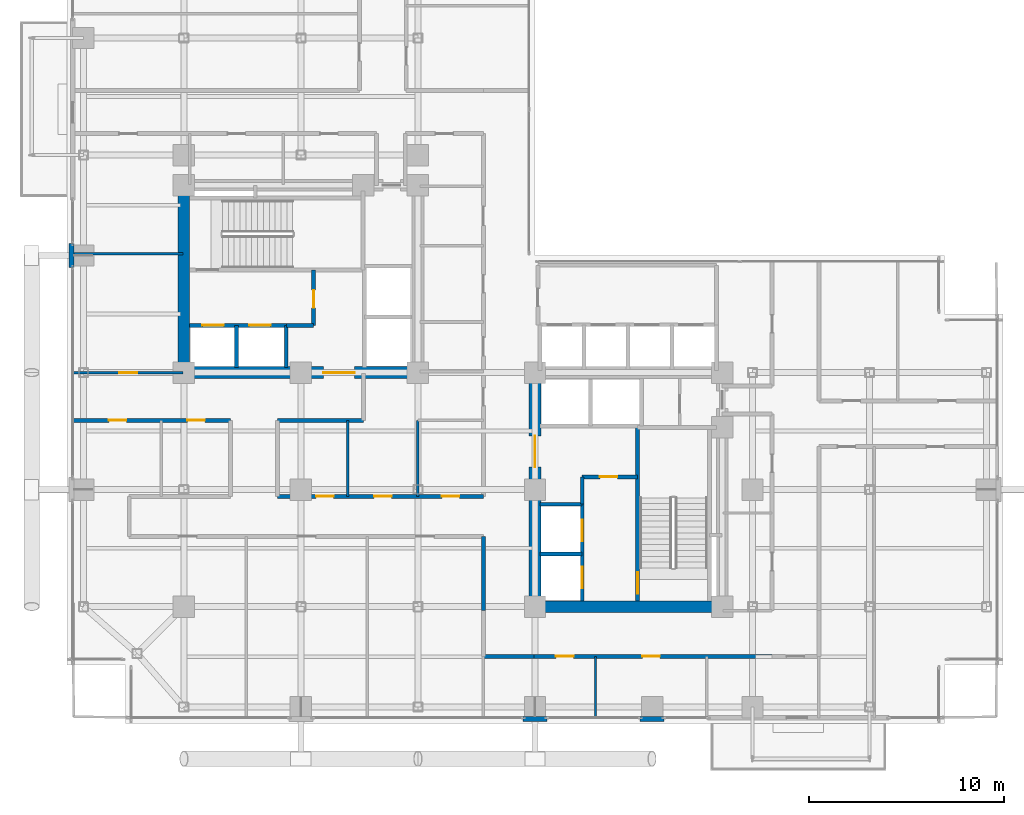
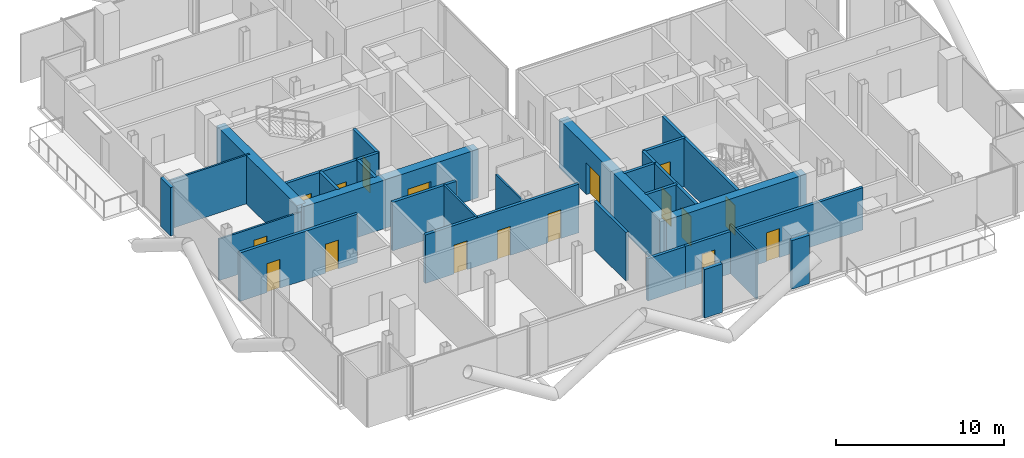
# One storey, part 22 of 28: 29 walls, 17 doors, 17 openings.
"""IFC4 building model written with IfcOpenShell, lengths in metres."""

import ifcopenshell
import ifcopenshell.guid

model = None  # the IFC model being written
_history = None  # IfcOwnerHistory: only IFC2X3 demands one
_inside = {}  # id of a spatial element -> (the spatial element, [elements in it])
_under = {}  # id of a project, library or spatial element -> (it, [spatial elements below it])
_declared = {}  # id of a project -> (the project, [libraries it declares])
_typed = {}  # id of a type object -> (the type object, [elements of that type])
_made_of = {}  # id of a material, layer set ... -> (it, [elements and type objects made of it])


def new_model(schema):
    """Start an empty IFC model of exactly this schema.

    Asked for "IFC4X3", IfcOpenShell would pick the latest addendum, in which some entities
    have other attributes; the version numbers below select the first issue.
    IFC2X3 requires an IfcOwnerHistory on every rooted entity: one is made here for all.
    """
    global model, _history
    if schema == "IFC4X3":
        model = ifcopenshell.file(schema_version=(4, 3, 0, 0))
    else:
        model = ifcopenshell.file(schema=schema)
    _inside.clear()
    _under.clear()
    _declared.clear()
    _typed.clear()
    _made_of.clear()
    _history = None
    if model.schema == "IFC2X3":
        org = make("IfcOrganization", Name="unknown")
        user = make(
            "IfcPersonAndOrganization",
            ThePerson=make("IfcPerson", FamilyName="unknown"),
            TheOrganization=org,
        )
        app = make(
            "IfcApplication",
            ApplicationDeveloper=org,
            Version="unknown",
            ApplicationFullName="unknown",
            ApplicationIdentifier="unknown",
        )
        _history = make(
            "IfcOwnerHistory",
            OwningUser=user,
            OwningApplication=app,
            ChangeAction="ADDED",
            CreationDate=0,
        )
    return model


def make(cls, **values):
    """One entity of the class cls with the attributes given. An attribute that is None is left unset."""
    return model.create_entity(
        cls, **{name: value for name, value in values.items() if value is not None}
    )


def rooted(cls, **values):
    """An entity with a GlobalId (a new one), such as an element, a storey or a relation."""
    return make(cls, GlobalId=ifcopenshell.guid.new(), OwnerHistory=_history, **values)


def si_unit(unit_type, name, prefix=None):
    """IfcSIUnit, for example si_unit("LENGTHUNIT", "METRE", prefix="MILLI")."""
    return make("IfcSIUnit", UnitType=unit_type, Prefix=prefix, Name=name)


def assignment(units):
    """IfcUnitAssignment: the units of a project."""
    return None if units is None else make("IfcUnitAssignment", Units=units)


def point(xyz):
    """IfcCartesianPoint."""
    return None if xyz is None else make("IfcCartesianPoint", Coordinates=xyz)


def direction(xyz):
    """IfcDirection."""
    return None if xyz is None else make("IfcDirection", DirectionRatios=xyz)


def frame(location, z_axis=None, x_axis=None):
    """IfcAxis2Placement3D, a coordinate frame: its origin and axes. An axis left out is left unset."""
    return make(
        "IfcAxis2Placement3D",
        Location=point(location),
        Axis=direction(z_axis),
        RefDirection=direction(x_axis),
    )


def frame_2d(location, x_axis=None):
    """IfcAxis2Placement2D, a coordinate frame in the plane: its origin and x axis."""
    return make(
        "IfcAxis2Placement2D", Location=point(location), RefDirection=direction(x_axis)
    )


def origin():
    """The frame at (0, 0, 0) with its axes left unset."""
    return frame((0.0, 0.0, 0.0))


def place(relative_to, where):
    """IfcLocalPlacement: puts the frame where relative to a parent placement (None: the world)."""
    return make(
        "IfcLocalPlacement", PlacementRelTo=relative_to, RelativePlacement=where
    )


def context(
    kind, dimensions, precision=None, world=None, true_north=None, identifier=None
):
    """IfcGeometricRepresentationContext, for example the 3D "Model" context."""
    return make(
        "IfcGeometricRepresentationContext",
        ContextIdentifier=identifier,
        ContextType=kind,
        CoordinateSpaceDimension=dimensions,
        Precision=precision,
        WorldCoordinateSystem=world,
        TrueNorth=true_north,
    )


def subcontext(parent, identifier, kind, view, scale=None):
    """IfcGeometricRepresentationSubContext, for example "Body" below "Model"."""
    return make(
        "IfcGeometricRepresentationSubContext",
        ContextIdentifier=identifier,
        ContextType=kind,
        ParentContext=parent,
        TargetScale=scale,
        TargetView=view,
    )


def project(units=None, contexts=None):
    """IfcProject with its units and contexts."""
    return rooted(
        "IfcProject",
        Name="project",
        RepresentationContexts=contexts,
        UnitsInContext=assignment(units),
    )


def spatial(cls, under=None, at=None, **own):
    """A site, building, storey or space (cls), placed at a placement, below another one or the project."""
    s = rooted(cls, ObjectPlacement=at, **own)
    if under is not None:
        _under.setdefault(under.id(), (under, []))[1].append(s)
    return s


def profile(cls, at=None, kind="AREA", **sizes):
    """A parametric profile (cls). Its sizes go by their IFC names, for example OverallWidth=200.0."""
    return make(cls, ProfileType=kind, Position=at, **sizes)


def rectangle(**sizes):
    """IfcRectangleProfileDef."""
    return profile("IfcRectangleProfileDef", **sizes)


def extrude(swept, where, along, depth):
    """IfcExtrudedAreaSolid: the profile swept, set in the frame where, extruded along a direction by depth."""
    return make(
        "IfcExtrudedAreaSolid",
        SweptArea=swept,
        Position=where,
        ExtrudedDirection=direction(along),
        Depth=depth,
    )


def shape(context_of_items, identifier, shape_type, items):
    """IfcShapeRepresentation: the items that make up one representation, for example the "Body"."""
    return make(
        "IfcShapeRepresentation",
        ContextOfItems=context_of_items,
        RepresentationIdentifier=identifier,
        RepresentationType=shape_type,
        Items=items,
    )


def material(Name=None, Category=None):
    """IfcMaterial."""
    return make("IfcMaterial", Name=Name, Category=Category)


def layer(
    of_material, thickness, ventilated=None, Name=None, Category=None, Priority=None
):
    """IfcMaterialLayer: one layer of a wall or slab, of a material (None: an air gap)."""
    return make(
        "IfcMaterialLayer",
        Material=of_material,
        LayerThickness=thickness,
        IsVentilated=ventilated,
        Name=Name,
        Category=Category,
        Priority=Priority,
    )


def layer_set(layers, Name=None):
    """IfcMaterialLayerSet."""
    return make("IfcMaterialLayerSet", MaterialLayers=layers, LayerSetName=Name)


def made_of(thing, what):
    """Note that an element or type object is made of a material, layer set ...; save() writes the relation."""
    if what is not None:
        _made_of.setdefault(what.id(), (what, []))[1].append(thing)
    return thing


def type_object(cls, material=None, **own):
    """A type object (cls), such as IfcWallType, which elements share."""
    return made_of(rooted(cls, **own), material)


def element(
    cls,
    number,
    at=None,
    inside=None,
    cuts=None,
    type_object=None,
    material=None,
    context=None,
    identifier="Body",
    shape_type=None,
    held_by="IfcProductDefinitionShape",
    body=None,
    shapes=None,
    **own,
):
    """One element of the class cls, such as IfcWall. Its Tag is "e" and its number.

    at: its placement. inside: the storey or other place that contains it. cuts: it is an
    opening in that element (IfcRelVoidsElement). A single representation is given by context,
    identifier, shape_type and body (its items); several are given by shapes. held_by: the class
    of the entity that holds the representations. save() writes the other relations.
    """
    e = rooted(cls, Tag="e%d" % number, ObjectPlacement=at, **own)
    if body is not None:
        shapes = [shape(context, identifier, shape_type, body)]
    if shapes is not None:
        e.Representation = make(held_by, Representations=shapes)
    if inside is not None:
        _inside.setdefault(inside.id(), (inside, []))[1].append(e)
    if cuts is not None:
        rooted(
            "IfcRelVoidsElement", RelatingBuildingElement=cuts, RelatedOpeningElement=e
        )
    if type_object is not None:
        _typed.setdefault(type_object.id(), (type_object, []))[1].append(e)
    return made_of(e, material)


def fill(opening, filler):
    """IfcRelFillsElement: the door or window that sits in an opening."""
    return rooted(
        "IfcRelFillsElement",
        RelatingOpeningElement=opening,
        RelatedBuildingElement=filler,
    )


def aggregate(whole, parts):
    """IfcRelAggregates: a whole, such as a stair, and the parts it consists of."""
    return rooted("IfcRelAggregates", RelatingObject=whole, RelatedObjects=parts)


def save(model, path):
    """Write the relations noted so far, then the file.

    IfcRelAggregates (storeys below a building ...), IfcRelContainedInSpatialStructure (elements
    in a storey), IfcRelDefinesByType, IfcRelAssociatesMaterial and IfcRelDeclares: one each for
    every whole, place, type object, material and project.
    """
    for whole, parts in _under.values():
        aggregate(whole, parts)
    for where, things in _inside.values():
        rooted(
            "IfcRelContainedInSpatialStructure",
            RelatedElements=things,
            RelatingStructure=where,
        )
    for kind, things in _typed.values():
        rooted("IfcRelDefinesByType", RelatedObjects=things, RelatingType=kind)
    for what, things in _made_of.values():
        rooted("IfcRelAssociatesMaterial", RelatedObjects=things, RelatingMaterial=what)
    for by, libraries in _declared.values():
        rooted("IfcRelDeclares", RelatingContext=by, RelatedDefinitions=libraries)
    model.write(path)


model = new_model("IFC4")

# Units and contexts
model_context = context("Model", 3, precision=1e-05, world=origin(), true_north=direction((0.0, 1.0)))
body_context = subcontext(model_context, "Body", "Model", "MODEL_VIEW")
ifc_project = project(units=[si_unit("LENGTHUNIT", "METRE"), si_unit("AREAUNIT", "SQUARE_METRE"), si_unit("VOLUMEUNIT", "CUBIC_METRE"), si_unit("PLANEANGLEUNIT", "RADIAN"), si_unit("MASSUNIT", "GRAM", prefix="KILO"), si_unit("THERMODYNAMICTEMPERATUREUNIT", "KELVIN"), si_unit("POWERUNIT", "WATT")], contexts=[model_context])

# Site, building, storey
site_placement = place(None, origin())
site = spatial("IfcSite", under=ifc_project, at=site_placement, CompositionType="ELEMENT")
building_placement = place(site_placement, origin())
building = spatial("IfcBuilding", under=site, at=building_placement, Name="Svarakhadi Broadcast Tower", CompositionType="ELEMENT")
storey_placement = place(building_placement, frame((0.0, 0.0, 153.14990234375)))
storey = spatial("IfcBuildingStorey", under=building, at=storey_placement, Name="L37", CompositionType="ELEMENT", Elevation=153.14990234375)

# Walls
ifc_material_1 = material(Name="Concrete C40/50 (IS 456 M50)", Category="concrete")
ifc_layer_1 = layer(ifc_material_1, 0.239990234375)
ifc_layer_set_1 = layer_set([ifc_layer_1], Name="Concrete C40/50 (IS 456 M50)")
wall_type_1 = type_object("IfcWallType", Name="Wall_Ext_240", PredefinedType="SOLIDWALL", material=ifc_layer_set_1)
for number, where, z_axis, x_axis, name in (
    (1, (0.239990234375, 23.385009765625, 0.0), (0.0, 0.0, 1.0), (0.0, 1.0, 0.0), "L37 Perimeter Bronze Spandrel Closure Wall 02"),
    (2, (30.614990234375, 0.239990234375, 0.0), (0.0, 0.0, 1.0), (-1.0, 0.0, 0.0), "L37 Perimeter Bronze Spandrel Closure Wall 06"),
    (3, (24.614990234375, 0.239990234375, 0.0), (0.0, 0.0, 1.0), (-1.0, 0.0, 0.0), "L37 Perimeter Bronze Spandrel Closure Wall 07"),
):
    element("IfcWall", number, at=place(storey_placement, frame(where, z_axis=z_axis, x_axis=x_axis)), inside=storey, type_object=wall_type_1, Name=name, PredefinedType="SOLIDWALL", context=body_context, shape_type="SweptSolid", body=[
        extrude(rectangle(XDim=1.22998046875, YDim=0.239990234375, at=frame_2d((0.614990234375, 0.0))), origin(), (0.0, 0.0, 1.0), 3.525146484375),
    ])

# Wall, openings, doors
ifc_layer_2 = layer(ifc_material_1, 0.199951171875)
ifc_layer_set_2 = layer_set([ifc_layer_2], Name="Concrete C40/50 (IS 456 M50)")
wall_type_2 = type_object("IfcWallType", Name="Wall_Fire_200", PredefinedType="SOLIDWALL", material=ifc_layer_set_2)
wall_1_placement = place(storey_placement, frame((36.14990234375, 3.449951171875, 0.0), z_axis=(0.0, 0.0, 1.0), x_axis=(-1.0, 0.0, 0.0)))
wall_1 = element("IfcWall", 4, at=wall_1_placement, inside=storey, type_object=wall_type_2, Name="L37 Zone 2/3 Corridor Wall", PredefinedType="SOLIDWALL", context=body_context, shape_type="SweptSolid", body=[
    extrude(rectangle(XDim=12.199951171875, YDim=0.199951171875, at=frame_2d((6.10009765625, 0.0))), origin(), (0.0, 0.0, 1.0), 3.067138671875),
])
opening_1_placement = place(wall_1_placement, frame((10.175048828125, 0.0, 0.0)))
opening_1 = element("IfcOpeningElement", 5, at=opening_1_placement, cuts=wall_1, Name="Opening D-14", PredefinedType="OPENING", context=body_context, shape_type="SweptSolid", body=[
    extrude(rectangle(XDim=0.89990234375, YDim=2.10009765625, at=frame_2d((0.449951171875, 1.050048828125))), frame((0.0, 0.10986328125, 0.0), z_axis=(0.0, -1.0, 0.0), x_axis=(1.0, 0.0, 0.0)), (0.0, 0.0, 1.0), 0.219970703125),
])
opening_2_placement = place(wall_1_placement, frame((5.75, 0.0, 0.0)))
opening_2 = element("IfcOpeningElement", 6, at=opening_2_placement, cuts=wall_1, Name="Opening D-15", PredefinedType="OPENING", context=body_context, shape_type="SweptSolid", body=[
    extrude(rectangle(XDim=0.89990234375, YDim=2.10009765625, at=frame_2d((0.449951171875, 1.050048828125))), frame((0.0, 0.10986328125, 0.0), z_axis=(0.0, -1.0, 0.0), x_axis=(1.0, 0.0, 0.0)), (0.0, 0.0, 1.0), 0.219970703125),
])
ifc_material_2 = material(Name="Solid-Core Teak Veneer Acoustic Timber Leaf", Category="wood")
door_type_1 = type_object("IfcDoorType", Name="Door_Int_D14", OperationType="SINGLE_SWING_LEFT", PredefinedType="DOOR", material=ifc_material_2)
door_1_placement = place(opening_1_placement, origin())
door_1 = element("IfcDoor", 7, at=door_1_placement, inside=storey, type_object=door_type_1, Name="L37 Harbour Front Production Office Door", OperationType="SINGLE_SWING_LEFT", OverallHeight=2.10009765625, OverallWidth=0.89990234375, PredefinedType="DOOR", context=body_context, shape_type="SweptSolid", body=[
    extrude(rectangle(XDim=0.89990234375, YDim=2.10009765625, at=frame_2d((0.449951171875, 1.050048828125))), frame((0.0, 0.02490234375, 0.0), z_axis=(0.0, -1.0, 0.0), x_axis=(1.0, 0.0, 0.0)), (0.0, 0.0, 1.0), 0.050048828125),
])
fill(opening_1, door_1)
door_type_2 = type_object("IfcDoorType", Name="Door_Int_D15", OperationType="SINGLE_SWING_RIGHT", PredefinedType="DOOR", material=ifc_material_2)
door_2_placement = place(opening_2_placement, origin())
door_2 = element("IfcDoor", 8, at=door_2_placement, inside=storey, type_object=door_type_2, Name="L37 Client Preview Briefing Room Door", OperationType="SINGLE_SWING_RIGHT", OverallHeight=2.10009765625, OverallWidth=0.89990234375, PredefinedType="DOOR", context=body_context, shape_type="SweptSolid", body=[
    extrude(rectangle(XDim=0.89990234375, YDim=2.10009765625, at=frame_2d((0.449951171875, 1.050048828125))), frame((0.0, 0.02490234375, 0.0), z_axis=(0.0, -1.0, 0.0), x_axis=(1.0, 0.0, 0.0)), (0.0, 0.0, 1.0), 0.050048828125),
])
fill(opening_2, door_2)

# Walls
wall_2_placement = place(storey_placement, frame((23.949951171875, 3.449951171875, 0.0), z_axis=(0.0, 0.0, 1.0), x_axis=(-1.0, 0.0, 0.0)))
element("IfcWall", 9, at=wall_2_placement, inside=storey, type_object=wall_type_2, Name="L37 Zone 2/3 Corridor Wall", PredefinedType="SOLIDWALL", context=body_context, shape_type="SweptSolid", body=[
    extrude(rectangle(XDim=2.599853515625, YDim=0.199951171875, at=frame_2d((1.2998046875, 0.0))), origin(), (0.0, 0.0, 1.0), 3.067138671875),
])
wall_3_placement = place(storey_placement, frame((21.35009765625, 5.800048828125, 0.0), z_axis=(0.0, 0.0, 1.0), x_axis=(0.0, 1.0, 0.0)))
element("IfcWall", 10, at=wall_3_placement, inside=storey, type_object=wall_type_2, Name="L37 Zone 2/3 Corridor Wall", PredefinedType="SOLIDWALL", context=body_context, shape_type="SweptSolid", body=[
    extrude(rectangle(XDim=3.800048828125, YDim=0.199951171875, at=frame_2d((1.89990234375, 0.0))), origin(), (0.0, 0.0, 1.0), 3.525146484375),
])

# Wall, openings, doors
wall_4_placement = place(storey_placement, frame((8.39990234375, 15.550048828125, 0.0), z_axis=(0.0, 0.0, 1.0), x_axis=(-1.0, 0.0, 0.0)))
wall_4 = element("IfcWall", 11, at=wall_4_placement, inside=storey, type_object=wall_type_2, Name="L37 Zone 2/3 Corridor Wall", PredefinedType="SOLIDWALL", context=body_context, shape_type="SweptSolid", body=[
    extrude(rectangle(XDim=8.099853515625, YDim=0.199951171875, at=frame_2d((4.0498046875, 0.0))), origin(), (0.0, 0.0, 1.0), 3.525146484375),
])
opening_3_placement = place(wall_4_placement, frame((5.35009765625, 0.0, 0.0)))
opening_3 = element("IfcOpeningElement", 12, at=opening_3_placement, cuts=wall_4, Name="Opening D-15", PredefinedType="OPENING", context=body_context, shape_type="SweptSolid", body=[
    extrude(rectangle(XDim=0.89990234375, YDim=2.10009765625, at=frame_2d((0.449951171875, 1.050048828125))), frame((0.0, 0.10986328125, 0.0), z_axis=(0.0, -1.0, 0.0), x_axis=(1.0, 0.0, 0.0)), (0.0, 0.0, 1.0), 0.219970703125),
])
opening_4_placement = place(wall_4_placement, frame((1.324951171875, 0.0, 0.0)))
opening_4 = element("IfcOpeningElement", 13, at=opening_4_placement, cuts=wall_4, Name="Opening D-14", PredefinedType="OPENING", context=body_context, shape_type="SweptSolid", body=[
    extrude(rectangle(XDim=0.89990234375, YDim=2.10009765625, at=frame_2d((0.449951171875, 1.050048828125))), frame((0.0, 0.10986328125, 0.0), z_axis=(0.0, -1.0, 0.0), x_axis=(1.0, 0.0, 0.0)), (0.0, 0.0, 1.0), 0.219970703125),
])
door_3_placement = place(opening_4_placement, origin())
door_3 = element("IfcDoor", 14, at=door_3_placement, inside=storey, type_object=door_type_1, Name="L37 Orchestral Instrument Preparation Room Door", OperationType="SINGLE_SWING_LEFT", OverallHeight=2.10009765625, OverallWidth=0.89990234375, PredefinedType="DOOR", context=body_context, shape_type="SweptSolid", body=[
    extrude(rectangle(XDim=0.89990234375, YDim=2.10009765625, at=frame_2d((0.449951171875, 1.050048828125))), frame((0.0, 0.02490234375, 0.0), z_axis=(0.0, -1.0, 0.0), x_axis=(1.0, 0.0, 0.0)), (0.0, 0.0, 1.0), 0.050048828125),
])
fill(opening_4, door_3)
door_4_placement = place(opening_3_placement, origin())
door_4 = element("IfcDoor", 15, at=door_4_placement, inside=storey, type_object=door_type_2, Name="L37 Vinyl and Atmos Mastering Room Door", OperationType="SINGLE_SWING_RIGHT", OverallHeight=2.10009765625, OverallWidth=0.89990234375, PredefinedType="DOOR", context=body_context, shape_type="SweptSolid", body=[
    extrude(rectangle(XDim=0.89990234375, YDim=2.10009765625, at=frame_2d((0.449951171875, 1.050048828125))), frame((0.0, 0.02490234375, 0.0), z_axis=(0.0, -1.0, 0.0), x_axis=(1.0, 0.0, 0.0)), (0.0, 0.0, 1.0), 0.050048828125),
])
fill(opening_3, door_4)

# Wall
wall_5_placement = place(storey_placement, frame((15.199951171875, 15.550048828125, 0.0), z_axis=(0.0, 0.0, 1.0), x_axis=(-1.0, 0.0, 0.0)))
element("IfcWall", 16, at=wall_5_placement, inside=storey, type_object=wall_type_2, Name="L37 Zone 2/3 Corridor Wall", PredefinedType="SOLIDWALL", context=body_context, shape_type="SweptSolid", body=[
    extrude(rectangle(XDim=4.39990234375, YDim=0.199951171875, at=frame_2d((2.199951171875, 0.0))), origin(), (0.0, 0.0, 1.0), 3.525146484375),
])

# Wall, openings, doors
wall_6_placement = place(storey_placement, frame((10.800048828125, 11.64990234375, 0.0), z_axis=(0.0, 0.0, 1.0), x_axis=(1.0, 0.0, 0.0)))
wall_6 = element("IfcWall", 17, at=wall_6_placement, inside=storey, type_object=wall_type_2, Name="L37 Zone 2/3 Corridor Wall", PredefinedType="SOLIDWALL", context=body_context, shape_type="SweptSolid", body=[
    extrude(rectangle(XDim=10.550048828125, YDim=0.199951171875, at=frame_2d((5.27490234375, 0.0))), origin(), (0.0, 0.0, 1.0), 3.525146484375),
])
opening_5_placement = place(wall_6_placement, frame((1.97998046875, 0.0, 0.0)))
opening_5 = element("IfcOpeningElement", 18, at=opening_5_placement, cuts=wall_6, Name="Opening D-15", PredefinedType="OPENING", context=body_context, shape_type="SweptSolid", body=[
    extrude(rectangle(XDim=0.89990234375, YDim=2.10009765625, at=frame_2d((0.449951171875, 1.050048828125))), frame((0.0, 0.10986328125, 0.0), z_axis=(0.0, -1.0, 0.0), x_axis=(1.0, 0.0, 0.0)), (0.0, 0.0, 1.0), 0.219970703125),
])
opening_6_placement = place(wall_6_placement, frame((4.949951171875, 0.0, 0.0)))
opening_6 = element("IfcOpeningElement", 19, at=opening_6_placement, cuts=wall_6, Name="Opening D-12", PredefinedType="OPENING", context=body_context, shape_type="SweptSolid", body=[
    extrude(rectangle(XDim=0.89990234375, YDim=2.10009765625, at=frame_2d((0.449951171875, 1.050048828125))), frame((0.0, 0.10986328125, 0.0), z_axis=(0.0, -1.0, 0.0), x_axis=(1.0, 0.0, 0.0)), (0.0, 0.0, 1.0), 0.219970703125),
])
opening_7_placement = place(wall_6_placement, frame((8.425048828125, 0.0, 0.0)))
opening_7 = element("IfcOpeningElement", 20, at=opening_7_placement, cuts=wall_6, Name="Opening D-13", PredefinedType="OPENING", context=body_context, shape_type="SweptSolid", body=[
    extrude(rectangle(XDim=0.89990234375, YDim=2.10009765625, at=frame_2d((0.449951171875, 1.050048828125))), frame((0.0, 0.10986328125, 0.0), z_axis=(0.0, -1.0, 0.0), x_axis=(1.0, 0.0, 0.0)), (0.0, 0.0, 1.0), 0.219970703125),
])
door_type_3 = type_object("IfcDoorType", Name="Door_Closet_D13", OperationType="SINGLE_SWING_RIGHT", PredefinedType="DOOR", material=ifc_material_2)
door_5_placement = place(opening_7_placement, origin())
door_5 = element("IfcDoor", 21, at=door_5_placement, inside=storey, type_object=door_type_3, Name="L37 Accessible Floor Washroom WC Door", OperationType="SINGLE_SWING_RIGHT", OverallHeight=2.10009765625, OverallWidth=0.89990234375, PredefinedType="DOOR", context=body_context, shape_type="SweptSolid", body=[
    extrude(rectangle(XDim=0.89990234375, YDim=2.10009765625, at=frame_2d((0.449951171875, 1.050048828125))), frame((0.0, 0.02490234375, 0.0), z_axis=(0.0, -1.0, 0.0), x_axis=(1.0, 0.0, 0.0)), (0.0, 0.0, 1.0), 0.050048828125),
])
fill(opening_7, door_5)
door_6_placement = place(opening_5_placement, origin())
door_6 = element("IfcDoor", 22, at=door_6_placement, inside=storey, type_object=door_type_2, Name="L37 Acoustic Huddle Booth Door", OperationType="SINGLE_SWING_RIGHT", OverallHeight=2.10009765625, OverallWidth=0.89990234375, PredefinedType="DOOR", context=body_context, shape_type="SweptSolid", body=[
    extrude(rectangle(XDim=0.89990234375, YDim=2.10009765625, at=frame_2d((0.449951171875, 1.050048828125))), frame((0.0, 0.02490234375, 0.0), z_axis=(0.0, -1.0, 0.0), x_axis=(1.0, 0.0, 0.0)), (0.0, 0.0, 1.0), 0.050048828125),
])
fill(opening_5, door_6)
door_type_4 = type_object("IfcDoorType", Name="Door_WC_D01", OperationType="SINGLE_SWING_LEFT", PredefinedType="DOOR", material=ifc_material_2)
door_7_placement = place(opening_6_placement, origin())
door_7 = element("IfcDoor", 23, at=door_7_placement, inside=storey, type_object=door_type_4, Name="L37 Tea Bar Pantry Door", OperationType="SINGLE_SWING_LEFT", OverallHeight=2.10009765625, OverallWidth=0.89990234375, PredefinedType="DOOR", context=body_context, shape_type="SweptSolid", body=[
    extrude(rectangle(XDim=0.89990234375, YDim=2.10009765625, at=frame_2d((0.449951171875, 1.050048828125))), frame((0.0, 0.02490234375, 0.0), z_axis=(0.0, -1.0, 0.0), x_axis=(1.0, 0.0, 0.0)), (0.0, 0.0, 1.0), 0.050048828125),
])
fill(opening_6, door_7)

# Walls
ifc_material_3 = material(Name="Fire-Rated Moisture-Resistant Gypsum Board Partition", Category="gypsum")
ifc_layer_3 = layer(ifc_material_3, 0.125)
ifc_layer_set_3 = layer_set([ifc_layer_3], Name="Fire-Rated Moisture-Resistant Gypsum Board Partition")
wall_type_3 = type_object("IfcWallType", Name="Wall_Part_125", PredefinedType="PARTITIONING", material=ifc_layer_set_3)
wall_7_placement = place(storey_placement, frame((14.39990234375, 11.64990234375, 0.0), z_axis=(0.0, 0.0, 1.0), x_axis=(0.0, 1.0, 0.0)))
element("IfcWall", 24, at=wall_7_placement, inside=storey, type_object=wall_type_3, Name="L37 Acoustic Huddle Booth Wall", PredefinedType="PARTITIONING", context=body_context, shape_type="SweptSolid", body=[
    extrude(rectangle(XDim=3.900146484375, YDim=0.125, at=frame_2d((1.9501953125, 0.0))), origin(), (0.0, 0.0, 1.0), 3.525146484375),
])
wall_8_placement = place(storey_placement, frame((18.0, 11.64990234375, 0.0), z_axis=(0.0, 0.0, 1.0), x_axis=(0.0, 1.0, 0.0)))
element("IfcWall", 25, at=wall_8_placement, inside=storey, type_object=wall_type_3, Name="L37 Tea Bar Pantry Wall", PredefinedType="PARTITIONING", context=body_context, shape_type="SweptSolid", body=[
    extrude(rectangle(XDim=3.900146484375, YDim=0.125, at=frame_2d((1.9501953125, 0.0))), origin(), (0.0, 0.0, 1.0), 3.01708984375),
])

# Wall, opening, door
wall_9_placement = place(storey_placement, frame((0.300048828125, 18.0, 0.0), z_axis=(0.0, 0.0, 1.0), x_axis=(1.0, 0.0, 0.0)))
wall_9 = element("IfcWall", 26, at=wall_9_placement, inside=storey, type_object=wall_type_3, Name="L37 Arabian Sea Executive Studio Wall", PredefinedType="PARTITIONING", context=body_context, shape_type="SweptSolid", body=[
    extrude(rectangle(XDim=5.64990234375, YDim=0.125, at=frame_2d((2.824951171875, 0.0))), origin(), (0.0, 0.0, 1.0), 3.01708984375),
])
opening_8_placement = place(wall_9_placement, frame((2.39990234375, 0.0, 0.0)))
opening_8 = element("IfcOpeningElement", 27, at=opening_8_placement, cuts=wall_9, Name="Opening D-14", PredefinedType="OPENING", context=body_context, shape_type="SweptSolid", body=[
    extrude(rectangle(XDim=0.89990234375, YDim=2.10009765625, at=frame_2d((0.449951171875, 1.050048828125))), frame((0.0, 0.072509765625, 0.0), z_axis=(0.0, -1.0, 0.0), x_axis=(1.0, 0.0, 0.0)), (0.0, 0.0, 1.0), 0.14501953125),
])
door_8_placement = place(opening_8_placement, origin())
door_8 = element("IfcDoor", 28, at=door_8_placement, inside=storey, type_object=door_type_1, Name="L37 Arabian Sea Executive Studio Door", OperationType="SINGLE_SWING_LEFT", OverallHeight=2.10009765625, OverallWidth=0.89990234375, PredefinedType="DOOR", context=body_context, shape_type="SweptSolid", body=[
    extrude(rectangle(XDim=0.89990234375, YDim=2.10009765625, at=frame_2d((0.449951171875, 1.050048828125))), frame((0.0, 0.02490234375, 0.0), z_axis=(0.0, -1.0, 0.0), x_axis=(1.0, 0.0, 0.0)), (0.0, 0.0, 1.0), 0.050048828125),
])
fill(opening_8, door_8)

# Walls
wall_10_placement = place(storey_placement, frame((0.300048828125, 24.10009765625, 0.0), z_axis=(0.0, 0.0, 1.0), x_axis=(1.0, 0.0, 0.0)))
element("IfcWall", 29, at=wall_10_placement, inside=storey, type_object=wall_type_3, Name="L37 Arabian Sea Executive Studio Wall", PredefinedType="PARTITIONING", context=body_context, shape_type="SweptSolid", body=[
    extrude(rectangle(XDim=5.64990234375, YDim=0.125, at=frame_2d((2.824951171875, 0.0))), origin(), (0.0, 0.0, 1.0), 3.525146484375),
])
wall_11_placement = place(storey_placement, frame((27.10009765625, 0.300048828125, 0.0), z_axis=(0.0, 0.0, 1.0), x_axis=(0.0, 1.0, 0.0)))
element("IfcWall", 30, at=wall_11_placement, inside=storey, type_object=wall_type_3, Name="L37 Harbour Front Production Office Wall", PredefinedType="PARTITIONING", context=body_context, shape_type="SweptSolid", body=[
    extrude(rectangle(XDim=3.14990234375, YDim=0.125, at=frame_2d((1.574951171875, 0.0))), origin(), (0.0, 0.0, 1.0), 3.525146484375),
])

# Wall, opening, door
ifc_material_4 = material(Name="Concrete C50/60 (IS 456 M60)", Category="concrete")
ifc_layer_4 = layer(ifc_material_4, 0.199951171875)
ifc_layer_set_4 = layer_set([ifc_layer_4], Name="Concrete C50/60 (IS 456 M60)")
wall_type_4 = type_object("IfcWallType", Name="Wall_Shear_200", PredefinedType="SHEAR", material=ifc_layer_set_4)
wall_12_placement = place(storey_placement, frame((29.260009765625, 6.300048828125, 0.0), z_axis=(0.0, 0.0, 1.0), x_axis=(0.0, 1.0, 0.0)))
wall_12 = element("IfcWall", 31, at=wall_12_placement, inside=storey, type_object=wall_type_4, Name="L37 Stair ST-02 West RC Shaft Wall", PredefinedType="SHEAR", context=body_context, shape_type="SweptSolid", body=[
    extrude(rectangle(XDim=8.8798828125, YDim=0.199951171875, at=frame_2d((4.43994140625, 0.0))), origin(), (0.0, 0.0, 1.0), 3.525146484375),
])
opening_9_placement = place(wall_12_placement, frame((0.35009765625, 0.0, 0.0)))
opening_9 = element("IfcOpeningElement", 32, at=opening_9_placement, cuts=wall_12, Name="Opening D-02", PredefinedType="OPENING", context=body_context, shape_type="SweptSolid", body=[
    extrude(rectangle(XDim=1.10009765625, YDim=2.199951171875, at=frame_2d((0.550048828125, 1.10009765625))), frame((0.0, 0.10986328125, 0.0), z_axis=(0.0, -1.0, 0.0), x_axis=(1.0, 0.0, 0.0)), (0.0, 0.0, 1.0), 0.219970703125),
])
ifc_material_5 = material(Name="Galvanised Powder-Coated Fire-Rated Steel Leaf", Category="steel")
door_type_5 = type_object("IfcDoorType", Name="Door_Stair_D02", OperationType="SINGLE_SWING_RIGHT", PredefinedType="DOOR", material=ifc_material_5)
door_9_placement = place(opening_9_placement, origin())
door_9 = element("IfcDoor", 33, at=door_9_placement, inside=storey, type_object=door_type_5, Name="L37 Protected Exit Stair ST-02 Fire Door", OperationType="SINGLE_SWING_RIGHT", OverallHeight=2.199951171875, OverallWidth=1.10009765625, PredefinedType="DOOR", context=body_context, shape_type="SweptSolid", body=[
    extrude(rectangle(XDim=1.10009765625, YDim=2.199951171875, at=frame_2d((0.550048828125, 1.10009765625))), frame((0.0, 0.02490234375, 0.0), z_axis=(0.0, -1.0, 0.0), x_axis=(1.0, 0.0, 0.0)), (0.0, 0.0, 1.0), 0.050048828125),
])
fill(opening_9, door_9)

# Wall, openings, doors
wall_13_placement = place(storey_placement, frame((6.300048828125, 20.419921875, 0.0), z_axis=(0.0, 0.0, 1.0), x_axis=(1.0, 0.0, 0.0)))
wall_13 = element("IfcWall", 34, at=wall_13_placement, inside=storey, type_object=wall_type_4, Name="L37 Firefighting Lift LF-01/02 Shaft Wall", PredefinedType="SHEAR", context=body_context, shape_type="SweptSolid", body=[
    extrude(rectangle(XDim=4.949951171875, YDim=0.199951171875, at=frame_2d((2.47509765625, 0.0))), origin(), (0.0, 0.0, 1.0), 3.525146484375),
])
opening_10_placement = place(wall_13_placement, frame((0.64990234375, 0.0, 0.0)))
opening_10 = element("IfcOpeningElement", 35, at=opening_10_placement, cuts=wall_13, Name="Opening LD-01", PredefinedType="OPENING", context=body_context, shape_type="SweptSolid", body=[
    extrude(rectangle(XDim=1.10009765625, YDim=2.199951171875, at=frame_2d((0.550048828125, 1.10009765625))), frame((0.0, 0.10986328125, 0.0), z_axis=(0.0, -1.0, 0.0), x_axis=(1.0, 0.0, 0.0)), (0.0, 0.0, 1.0), 0.219970703125),
])
opening_11_placement = place(wall_13_placement, frame((3.050048828125, 0.0, 0.0)))
opening_11 = element("IfcOpeningElement", 36, at=opening_11_placement, cuts=wall_13, Name="Opening LD-01", PredefinedType="OPENING", context=body_context, shape_type="SweptSolid", body=[
    extrude(rectangle(XDim=1.10009765625, YDim=2.199951171875, at=frame_2d((0.550048828125, 1.10009765625))), frame((0.0, 0.10986328125, 0.0), z_axis=(0.0, -1.0, 0.0), x_axis=(1.0, 0.0, 0.0)), (0.0, 0.0, 1.0), 0.219970703125),
])
door_type_6 = type_object("IfcDoorType", Name="Door_Lift_LD01", OperationType="SLIDING_TO_LEFT", PredefinedType="DOOR", material=ifc_material_5)
door_10_placement = place(opening_10_placement, origin())
door_10 = element("IfcDoor", 37, at=door_10_placement, inside=storey, type_object=door_type_6, Name="L37 Firefighting Lift LF-01 Landing Door", OperationType="SLIDING_TO_LEFT", OverallHeight=2.199951171875, OverallWidth=1.10009765625, PredefinedType="DOOR", context=body_context, shape_type="SweptSolid", body=[
    extrude(rectangle(XDim=1.10009765625, YDim=2.199951171875, at=frame_2d((0.550048828125, 1.10009765625))), frame((0.0, 0.02490234375, 0.0), z_axis=(0.0, -1.0, 0.0), x_axis=(1.0, 0.0, 0.0)), (0.0, 0.0, 1.0), 0.050048828125),
])
fill(opening_10, door_10)
door_11_placement = place(opening_11_placement, origin())
door_11 = element("IfcDoor", 38, at=door_11_placement, inside=storey, type_object=door_type_6, Name="L37 Firefighting Lift LF-02 Landing Door", OperationType="SLIDING_TO_LEFT", OverallHeight=2.199951171875, OverallWidth=1.10009765625, PredefinedType="DOOR", context=body_context, shape_type="SweptSolid", body=[
    extrude(rectangle(XDim=1.10009765625, YDim=2.199951171875, at=frame_2d((0.550048828125, 1.10009765625))), frame((0.0, 0.02490234375, 0.0), z_axis=(0.0, -1.0, 0.0), x_axis=(1.0, 0.0, 0.0)), (0.0, 0.0, 1.0), 0.050048828125),
])
fill(opening_11, door_11)

# Walls
for number, where, z_axis, x_axis, name in (
    (39, (8.699951171875, 18.25, 0.0), (0.0, 0.0, 1.0), (0.0, 1.0, 0.0), "L37 Firefighting Lift LF-01/02 Divider Wall"),
    (40, (11.25, 18.25, 0.0), (0.0, 0.0, 1.0), (0.0, 1.0, 0.0), "L37 Firefighting Lift LF-02 East Wall"),
):
    element("IfcWall", number, at=place(storey_placement, frame(where, z_axis=z_axis, x_axis=x_axis)), inside=storey, type_object=wall_type_4, Name=name, PredefinedType="SHEAR", context=body_context, shape_type="SweptSolid", body=[
        extrude(rectangle(XDim=2.169921875, YDim=0.199951171875, at=frame_2d((1.0849609375, 0.0))), origin(), (0.0, 0.0, 1.0), 3.525146484375),
    ])
wall_14_placement = place(storey_placement, frame((11.25, 20.419921875, 0.0), z_axis=(0.0, 0.0, 1.0), x_axis=(1.0, 0.0, 0.0)))
element("IfcWall", 41, at=wall_14_placement, inside=storey, type_object=wall_type_4, Name="L37 West Firefighting Lobby South Wall", PredefinedType="SHEAR", context=body_context, shape_type="SweptSolid", body=[
    extrude(rectangle(XDim=1.39990234375, YDim=0.199951171875, at=frame_2d((0.699951171875, 0.0))), origin(), (0.0, 0.0, 1.0), 3.525146484375),
])

# Wall, opening, door
wall_15_placement = place(storey_placement, frame((12.64990234375, 20.419921875, 0.0), z_axis=(0.0, 0.0, 1.0), x_axis=(0.0, 1.0, 0.0)))
wall_15 = element("IfcWall", 42, at=wall_15_placement, inside=storey, type_object=wall_type_4, Name="L37 West Firefighting Lobby East Wall", PredefinedType="SHEAR", context=body_context, shape_type="SweptSolid", body=[
    extrude(rectangle(XDim=2.840087890625, YDim=0.199951171875, at=frame_2d((1.419921875, 0.0))), origin(), (0.0, 0.0, 1.0), 3.525146484375),
])
opening_12_placement = place(wall_15_placement, frame((0.89990234375, 0.0, 0.0)))
opening_12 = element("IfcOpeningElement", 43, at=opening_12_placement, cuts=wall_15, Name="Opening D-03", PredefinedType="OPENING", context=body_context, shape_type="SweptSolid", body=[
    extrude(rectangle(XDim=0.89990234375, YDim=2.14990234375, at=frame_2d((0.449951171875, 1.074951171875))), frame((0.0, 0.10986328125, 0.0), z_axis=(0.0, -1.0, 0.0), x_axis=(1.0, 0.0, 0.0)), (0.0, 0.0, 1.0), 0.219970703125),
])
door_type_7 = type_object("IfcDoorType", Name="Door_Fire_D03", OperationType="SINGLE_SWING_LEFT", PredefinedType="DOOR", material=ifc_material_5)
door_12_placement = place(opening_12_placement, origin())
door_12 = element("IfcDoor", 44, at=door_12_placement, inside=storey, type_object=door_type_7, Name="L37 West Firefighting Lobby Fire Door", OperationType="SINGLE_SWING_LEFT", OverallHeight=2.14990234375, OverallWidth=0.89990234375, PredefinedType="DOOR", context=body_context, shape_type="SweptSolid", body=[
    extrude(rectangle(XDim=0.89990234375, YDim=2.14990234375, at=frame_2d((0.449951171875, 1.074951171875))), frame((0.0, 0.02490234375, 0.0), z_axis=(0.0, -1.0, 0.0), x_axis=(1.0, 0.0, 0.0)), (0.0, 0.0, 1.0), 0.050048828125),
])
fill(opening_12, door_12)

# Wall, openings, doors
wall_16_placement = place(storey_placement, frame((26.419921875, 6.300048828125, 0.0), z_axis=(0.0, 0.0, 1.0), x_axis=(0.0, 1.0, 0.0)))
wall_16 = element("IfcWall", 45, at=wall_16_placement, inside=storey, type_object=wall_type_4, Name="L37 Firefighting Lift LF-03/04 Shaft Wall", PredefinedType="SHEAR", context=body_context, shape_type="SweptSolid", body=[
    extrude(rectangle(XDim=4.949951171875, YDim=0.199951171875, at=frame_2d((2.47509765625, 0.0))), origin(), (0.0, 0.0, 1.0), 3.525146484375),
])
opening_13_placement = place(wall_16_placement, frame((0.64990234375, 0.0, 0.0)))
opening_13 = element("IfcOpeningElement", 46, at=opening_13_placement, cuts=wall_16, Name="Opening LD-01", PredefinedType="OPENING", context=body_context, shape_type="SweptSolid", body=[
    extrude(rectangle(XDim=1.10009765625, YDim=2.199951171875, at=frame_2d((0.550048828125, 1.10009765625))), frame((0.0, 0.10986328125, 0.0), z_axis=(0.0, -1.0, 0.0), x_axis=(1.0, 0.0, 0.0)), (0.0, 0.0, 1.0), 0.219970703125),
])
opening_14_placement = place(wall_16_placement, frame((3.050048828125, 0.0, 0.0)))
opening_14 = element("IfcOpeningElement", 47, at=opening_14_placement, cuts=wall_16, Name="Opening LD-01", PredefinedType="OPENING", context=body_context, shape_type="SweptSolid", body=[
    extrude(rectangle(XDim=1.10009765625, YDim=2.199951171875, at=frame_2d((0.550048828125, 1.10009765625))), frame((0.0, 0.10986328125, 0.0), z_axis=(0.0, -1.0, 0.0), x_axis=(1.0, 0.0, 0.0)), (0.0, 0.0, 1.0), 0.219970703125),
])
door_13_placement = place(opening_13_placement, origin())
door_13 = element("IfcDoor", 48, at=door_13_placement, inside=storey, type_object=door_type_6, Name="L37 Firefighting Lift LF-03 Landing Door", OperationType="SLIDING_TO_LEFT", OverallHeight=2.199951171875, OverallWidth=1.10009765625, PredefinedType="DOOR", context=body_context, shape_type="SweptSolid", body=[
    extrude(rectangle(XDim=1.10009765625, YDim=2.199951171875, at=frame_2d((0.550048828125, 1.10009765625))), frame((0.0, 0.02490234375, 0.0), z_axis=(0.0, -1.0, 0.0), x_axis=(1.0, 0.0, 0.0)), (0.0, 0.0, 1.0), 0.050048828125),
])
fill(opening_13, door_13)
door_14_placement = place(opening_14_placement, origin())
door_14 = element("IfcDoor", 49, at=door_14_placement, inside=storey, type_object=door_type_6, Name="L37 Firefighting Lift LF-04 Landing Door", OperationType="SLIDING_TO_LEFT", OverallHeight=2.199951171875, OverallWidth=1.10009765625, PredefinedType="DOOR", context=body_context, shape_type="SweptSolid", body=[
    extrude(rectangle(XDim=1.10009765625, YDim=2.199951171875, at=frame_2d((0.550048828125, 1.10009765625))), frame((0.0, 0.02490234375, 0.0), z_axis=(0.0, -1.0, 0.0), x_axis=(1.0, 0.0, 0.0)), (0.0, 0.0, 1.0), 0.050048828125),
])
fill(opening_14, door_14)

# Walls
for number, where, z_axis, x_axis, name in (
    (50, (24.25, 8.699951171875, 0.0), (0.0, 0.0, 1.0), (1.0, 0.0, 0.0), "L37 Firefighting Lift LF-03/04 Divider Wall"),
    (51, (24.25, 11.25, 0.0), (0.0, 0.0, 1.0), (1.0, 0.0, 0.0), "L37 Firefighting Lift LF-04 North Wall"),
):
    element("IfcWall", number, at=place(storey_placement, frame(where, z_axis=z_axis, x_axis=x_axis)), inside=storey, type_object=wall_type_4, Name=name, PredefinedType="SHEAR", context=body_context, shape_type="SweptSolid", body=[
        extrude(rectangle(XDim=2.169921875, YDim=0.199951171875, at=frame_2d((1.0849609375, 0.0))), origin(), (0.0, 0.0, 1.0), 3.525146484375),
    ])
wall_17_placement = place(storey_placement, frame((26.419921875, 11.25, 0.0), z_axis=(0.0, 0.0, 1.0), x_axis=(0.0, 1.0, 0.0)))
element("IfcWall", 52, at=wall_17_placement, inside=storey, type_object=wall_type_4, Name="L37 East Firefighting Lobby West Wall", PredefinedType="SHEAR", context=body_context, shape_type="SweptSolid", body=[
    extrude(rectangle(XDim=1.39990234375, YDim=0.199951171875, at=frame_2d((0.699951171875, 0.0))), origin(), (0.0, 0.0, 1.0), 3.525146484375),
])

# Wall, opening, door
wall_18_placement = place(storey_placement, frame((26.419921875, 12.64990234375, 0.0), z_axis=(0.0, 0.0, 1.0), x_axis=(1.0, 0.0, 0.0)))
wall_18 = element("IfcWall", 53, at=wall_18_placement, inside=storey, type_object=wall_type_4, Name="L37 East Firefighting Lobby North Wall", PredefinedType="SHEAR", context=body_context, shape_type="SweptSolid", body=[
    extrude(rectangle(XDim=2.840087890625, YDim=0.199951171875, at=frame_2d((1.419921875, 0.0))), origin(), (0.0, 0.0, 1.0), 3.525146484375),
])
opening_15_placement = place(wall_18_placement, frame((0.89990234375, 0.0, 0.0)))
opening_15 = element("IfcOpeningElement", 54, at=opening_15_placement, cuts=wall_18, Name="Opening D-04", PredefinedType="OPENING", context=body_context, shape_type="SweptSolid", body=[
    extrude(rectangle(XDim=0.89990234375, YDim=2.14990234375, at=frame_2d((0.449951171875, 1.074951171875))), frame((0.0, 0.10986328125, 0.0), z_axis=(0.0, -1.0, 0.0), x_axis=(1.0, 0.0, 0.0)), (0.0, 0.0, 1.0), 0.219970703125),
])
door_type_8 = type_object("IfcDoorType", Name="Door_Fire_D04", OperationType="SINGLE_SWING_RIGHT", PredefinedType="DOOR", material=ifc_material_5)
door_15_placement = place(opening_15_placement, origin())
door_15 = element("IfcDoor", 55, at=door_15_placement, inside=storey, type_object=door_type_8, Name="L37 East Firefighting Lobby Fire Door", OperationType="SINGLE_SWING_RIGHT", OverallHeight=2.14990234375, OverallWidth=0.89990234375, PredefinedType="DOOR", context=body_context, shape_type="SweptSolid", body=[
    extrude(rectangle(XDim=0.89990234375, YDim=2.14990234375, at=frame_2d((0.449951171875, 1.074951171875))), frame((0.0, 0.02490234375, 0.0), z_axis=(0.0, -1.0, 0.0), x_axis=(1.0, 0.0, 0.0)), (0.0, 0.0, 1.0), 0.050048828125),
])
fill(opening_15, door_15)

ifc_material_6 = material(Name="Concrete C60/75 (IS 456 M70)", Category="concrete")
ifc_layer_5 = layer(ifc_material_6, 0.60009765625)
ifc_layer_set_5 = layer_set([ifc_layer_5], Name="Concrete C60/75 (IS 456 M70)")
wall_type_5 = type_object("IfcWallType", Name="Wall_Shear_600", PredefinedType="SHEAR", material=ifc_layer_set_5)
wall_19_placement = place(storey_placement, frame((6.0, 18.0, 0.0), z_axis=(0.0, 0.0, 1.0), x_axis=(1.0, 0.0, 0.0)))
wall_19 = element("IfcWall", 56, at=wall_19_placement, inside=storey, type_object=wall_type_5, Name="L37 West Core South Shear Wall", PredefinedType="SHEAR", context=body_context, shape_type="SweptSolid", body=[
    extrude(rectangle(XDim=12.0, YDim=0.60009765625, at=frame_2d((6.0, 0.0))), origin(), (0.0, 0.0, 1.0), 3.525146484375),
])
opening_16_placement = place(wall_19_placement, frame((7.14990234375, 0.0, 0.0)))
opening_16 = element("IfcOpeningElement", 57, at=opening_16_placement, cuts=wall_19, Name="Opening D-05", PredefinedType="OPENING", context=body_context, shape_type="SweptSolid", body=[
    extrude(rectangle(XDim=1.60009765625, YDim=2.300048828125, at=frame_2d((0.800048828125, 1.14990234375))), frame((0.0, 0.31005859375, 0.0), z_axis=(0.0, -1.0, 0.0), x_axis=(1.0, 0.0, 0.0)), (0.0, 0.0, 1.0), 0.6201171875),
])
ifc_material_7 = material(Name="Anodised Bronze Aluminium AA 6063-T6", Category="aluminium")
door_type_9 = type_object("IfcDoorType", Name="Door_Lobby_D05", OperationType="DOUBLE_DOOR_SLIDING", PredefinedType="DOOR", material=ifc_material_7)
door_16_placement = place(opening_16_placement, origin())
door_16 = element("IfcDoor", 58, at=door_16_placement, inside=storey, type_object=door_type_9, Name="L37 West Core Passenger Lift Lobby Entrance Door", OperationType="DOUBLE_DOOR_SLIDING", OverallHeight=2.300048828125, OverallWidth=1.60009765625, PredefinedType="DOOR", context=body_context, shape_type="SweptSolid", body=[
    extrude(rectangle(XDim=1.60009765625, YDim=2.300048828125, at=frame_2d((0.800048828125, 1.14990234375))), frame((0.0, 0.02490234375, 0.0), z_axis=(0.0, -1.0, 0.0), x_axis=(1.0, 0.0, 0.0)), (0.0, 0.0, 1.0), 0.050048828125),
])
fill(opening_16, door_16)

# Walls
for number, where, z_axis, x_axis, name in (
    (59, (6.0, 18.0, 0.0), (0.0, 0.0, 1.0), (0.0, 1.0, 0.0), "L37 West Core West Shear Wall"),
    (60, (24.0, 6.0, 0.0), (0.0, 0.0, 1.0), (1.0, 0.0, 0.0), "L37 East Core South Shear Wall"),
):
    element("IfcWall", number, at=place(storey_placement, frame(where, z_axis=z_axis, x_axis=x_axis)), inside=storey, type_object=wall_type_5, Name=name, PredefinedType="SHEAR", context=body_context, shape_type="SweptSolid", body=[
        extrude(rectangle(XDim=9.60009765625, YDim=0.60009765625, at=frame_2d((4.800048828125, 0.0))), origin(), (0.0, 0.0, 1.0), 3.525146484375),
    ])

# Wall, opening, door
wall_20_placement = place(storey_placement, frame((24.0, 6.0, 0.0), z_axis=(0.0, 0.0, 1.0), x_axis=(0.0, 1.0, 0.0)))
wall_20 = element("IfcWall", 61, at=wall_20_placement, inside=storey, type_object=wall_type_5, Name="L37 East Core West Shear Wall", PredefinedType="SHEAR", context=body_context, shape_type="SweptSolid", body=[
    extrude(rectangle(XDim=12.0, YDim=0.60009765625, at=frame_2d((6.0, 0.0))), origin(), (0.0, 0.0, 1.0), 3.525146484375),
])
opening_17_placement = place(wall_20_placement, frame((7.14990234375, 0.0, 0.0)))
opening_17 = element("IfcOpeningElement", 62, at=opening_17_placement, cuts=wall_20, Name="Opening D-05", PredefinedType="OPENING", context=body_context, shape_type="SweptSolid", body=[
    extrude(rectangle(XDim=1.60009765625, YDim=2.300048828125, at=frame_2d((0.800048828125, 1.14990234375))), frame((0.0, 0.31005859375, 0.0), z_axis=(0.0, -1.0, 0.0), x_axis=(1.0, 0.0, 0.0)), (0.0, 0.0, 1.0), 0.6201171875),
])
door_17_placement = place(opening_17_placement, origin())
door_17 = element("IfcDoor", 63, at=door_17_placement, inside=storey, type_object=door_type_9, Name="L37 East Core Passenger Lift Lobby Entrance Door", OperationType="DOUBLE_DOOR_SLIDING", OverallHeight=2.300048828125, OverallWidth=1.60009765625, PredefinedType="DOOR", context=body_context, shape_type="SweptSolid", body=[
    extrude(rectangle(XDim=1.60009765625, YDim=2.300048828125, at=frame_2d((0.800048828125, 1.14990234375))), frame((0.0, 0.02490234375, 0.0), z_axis=(0.0, -1.0, 0.0), x_axis=(1.0, 0.0, 0.0)), (0.0, 0.0, 1.0), 0.050048828125),
])
fill(opening_17, door_17)

save(model, "model.ifc")
